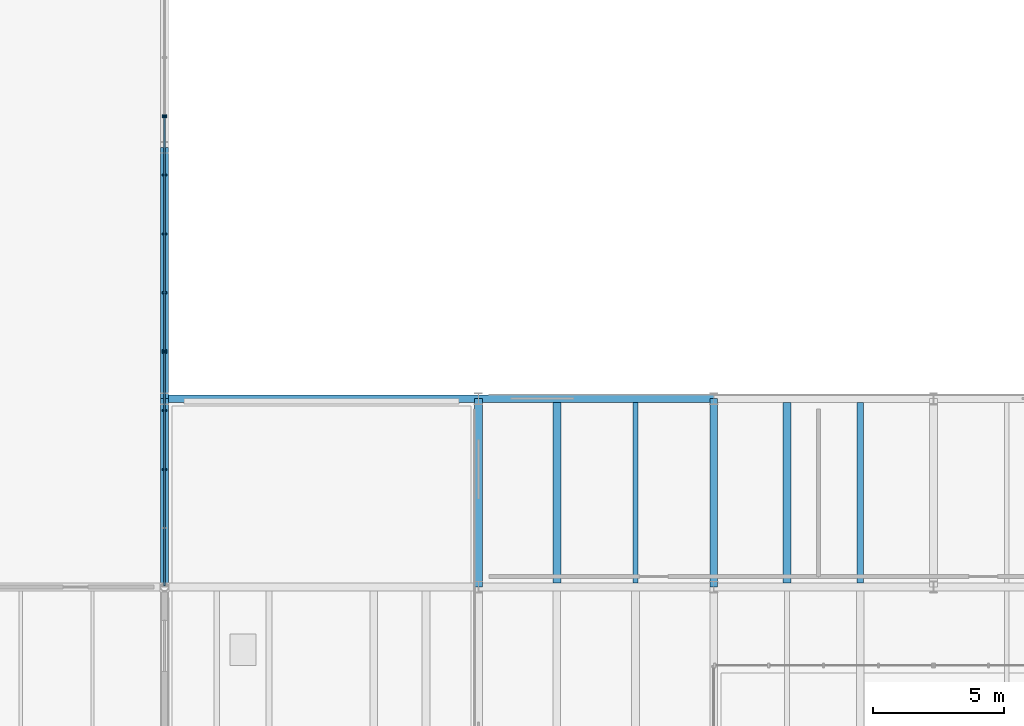
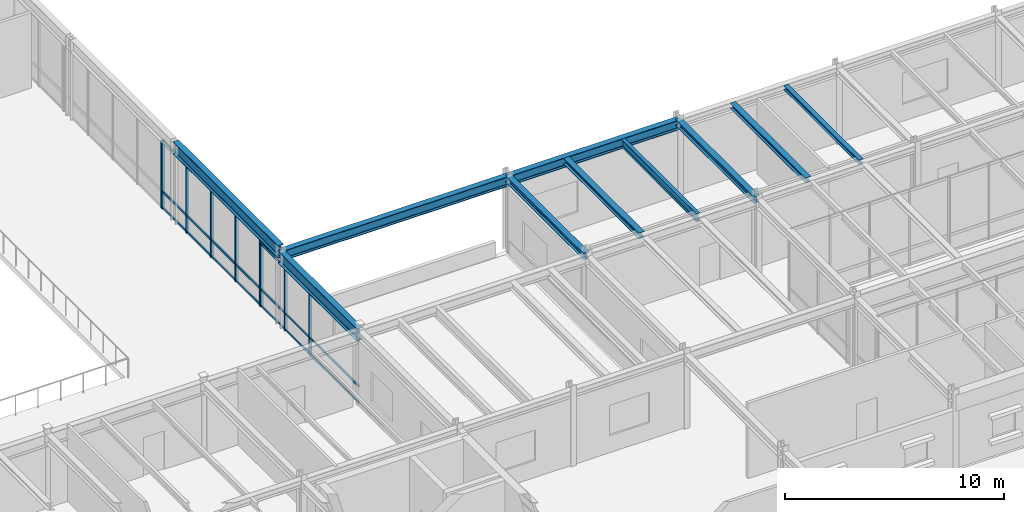
# One storey, part 23 of 64: 15 members, 10 beams, 3 elements without a shape of their own.
"""IFC4 building model written with IfcOpenShell, lengths in metres."""

from ifc_helpers import new_model, si_unit, direction, frame, origin, origin_2d, place, context, subcontext, project, spatial, rectangle, i_section, extrude, material, layer, layer_set, material_profile, profile_set, type_object, element, aggregate, save


model = new_model("IFC4")

# Units and contexts
model_context = context("Model", 3, precision=1e-05, world=origin(), true_north=direction((0.0, 1.0)))
body_context = subcontext(model_context, "Body", "Model", "MODEL_VIEW")
ifc_project = project(units=[si_unit("LENGTHUNIT", "METRE"), si_unit("AREAUNIT", "SQUARE_METRE"), si_unit("VOLUMEUNIT", "CUBIC_METRE"), si_unit("PLANEANGLEUNIT", "RADIAN"), si_unit("MASSUNIT", "GRAM", prefix="KILO")], contexts=[model_context])

# Site, building, storey
site_placement = place(None, origin())
site = spatial("IfcSite", under=ifc_project, at=site_placement, CompositionType="ELEMENT")
building_placement = place(site_placement, origin())
building = spatial("IfcBuilding", under=site, at=building_placement, Name="Montealbar Specialist Clinic", CompositionType="ELEMENT")
storey_placement = place(building_placement, frame((0.0, 0.0, 5.10009765625)))
storey = spatial("IfcBuildingStorey", under=building, at=storey_placement, Name="L01", CompositionType="ELEMENT", Elevation=5.10009765625)

# Beams
ifc_material_1 = material(Name="Steel S355", Category="steel")
ifc_material_profile_1 = material_profile(ifc_material_1, i_section(OverallWidth=0.300048828125, OverallDepth=0.360107421875, WebThickness=0.012451171875, FlangeThickness=0.0224609375, FilletRadius=0.027099609375, at=origin_2d()), Name="HEB 360", Category="steel")
ifc_profile_set_1 = profile_set([ifc_material_profile_1], Name="Steel S355")
beam_type_1 = type_object("IfcBeamType", Name="BM-GIRD-HEB360-EXT", PredefinedType="BEAM", material=ifc_profile_set_1)
for number, where, z_axis, x_axis, name in (
    (1, (111.0, 45.0, 4.0498046875), (0.0, 1.0, 0.0), (-1.0, 0.0, 0.0), "Beam GY-L01-1110-450-522"),
    (2, (120.0, 45.0, 4.0498046875), (0.0, 1.0, 0.0), (-1.0, 0.0, 0.0), "Beam GY-L01-1200-450-522"),
):
    element("IfcBeam", number, at=place(storey_placement, frame(where, z_axis=z_axis, x_axis=x_axis)), inside=storey, type_object=beam_type_1, Name=name, PredefinedType="BEAM", context=body_context, shape_type="SweptSolid", body=[
        extrude(i_section(OverallWidth=0.300048828125, OverallDepth=0.360107421875, WebThickness=0.012451171875, FlangeThickness=0.0224609375, FilletRadius=0.027099609375, at=origin_2d()), origin(), (0.0, 0.0, 1.0), 7.199951171875),
    ])
ifc_material_profile_2 = material_profile(ifc_material_1, i_section(OverallWidth=0.300048828125, OverallDepth=0.550048828125, WebThickness=0.014892578125, FlangeThickness=0.029052734375, FilletRadius=0.027099609375, at=origin_2d()), Name="HEB 550", Category="steel")
ifc_profile_set_2 = profile_set([ifc_material_profile_2], Name="Steel S355")
beam_type_2 = type_object("IfcBeamType", Name="BM-GIRD-HEB550-EXT", PredefinedType="BEAM", material=ifc_profile_set_2)
beam_1_placement = place(storey_placement, frame((99.0, 52.199951171875, 3.954833984375), z_axis=(1.0, 0.0, 0.0), x_axis=(0.0, 1.0, 0.0)))
element("IfcBeam", 3, at=beam_1_placement, inside=storey, type_object=beam_type_2, Name="Beam GX-L01-990-1110-522", PredefinedType="BEAM", context=body_context, shape_type="SweptSolid", body=[
    extrude(i_section(OverallWidth=0.300048828125, OverallDepth=0.550048828125, WebThickness=0.014892578125, FlangeThickness=0.029052734375, FilletRadius=0.027099609375, at=origin_2d()), origin(), (0.0, 0.0, 1.0), 12.0),
])
beam_2_placement = place(storey_placement, frame((111.0, 52.199951171875, 3.954833984375), z_axis=(1.0, 0.0, 0.0), x_axis=(0.0, 1.0, 0.0)))
element("IfcBeam", 4, at=beam_2_placement, inside=storey, type_object=beam_type_2, Name="Beam GX-L01-1110-1200-522", PredefinedType="BEAM", context=body_context, shape_type="SweptSolid", body=[
    extrude(i_section(OverallWidth=0.300048828125, OverallDepth=0.550048828125, WebThickness=0.014892578125, FlangeThickness=0.029052734375, FilletRadius=0.027099609375, at=origin_2d()), origin(), (0.0, 0.0, 1.0), 9.0),
])
ifc_material_profile_3 = material_profile(ifc_material_1, i_section(OverallWidth=0.300048828125, OverallDepth=0.320068359375, WebThickness=0.011474609375, FlangeThickness=0.0205078125, FilletRadius=0.027099609375, at=origin_2d()), Name="HEB 320", Category="steel")
ifc_profile_set_3 = profile_set([ifc_material_profile_3], Name="Steel S355")
beam_type_3 = type_object("IfcBeamType", Name="BM-JST-HEB320", PredefinedType="JOIST", material=ifc_profile_set_3)
beam_3_placement = place(storey_placement, frame((114.0, 45.14990234375, 4.06982421875), z_axis=(0.0, 1.0, 0.0), x_axis=(-1.0, 0.0, 0.0)))
element("IfcBeam", 5, at=beam_3_placement, inside=storey, type_object=beam_type_3, Name="Beam JST-L01-1140-452-520", PredefinedType="JOIST", context=body_context, shape_type="SweptSolid", body=[
    extrude(i_section(OverallWidth=0.300048828125, OverallDepth=0.320068359375, WebThickness=0.011474609375, FlangeThickness=0.0205078125, FilletRadius=0.027099609375, at=origin_2d()), origin(), (0.0, 0.0, 1.0), 6.900146484375),
])
ifc_material_profile_4 = material_profile(ifc_material_1, i_section(OverallWidth=0.300048828125, OverallDepth=0.699951171875, WebThickness=0.01708984375, FlangeThickness=0.031982421875, FilletRadius=0.027099609375, at=origin_2d()), Name="HEB 700", Category="steel")
ifc_profile_set_4 = profile_set([ifc_material_profile_4], Name="Steel S355")
beam_type_4 = type_object("IfcBeamType", Name="BM-RING-HEB700-EXT", PredefinedType="BEAM", material=ifc_profile_set_4)
beam_4_placement = place(storey_placement, frame((99.0, 45.0, 3.8798828125), z_axis=(0.0, 1.0, 0.0), x_axis=(-1.0, 0.0, 0.0)))
element("IfcBeam", 6, at=beam_4_placement, inside=storey, type_object=beam_type_4, Name="Gridshell perimeter ring beam RB-01 Y 45.0-52.2", PredefinedType="BEAM", context=body_context, shape_type="SweptSolid", body=[
    extrude(i_section(OverallWidth=0.300048828125, OverallDepth=0.699951171875, WebThickness=0.01708984375, FlangeThickness=0.031982421875, FilletRadius=0.027099609375, at=origin_2d()), origin(), (0.0, 0.0, 1.0), 7.199951171875),
])
beam_5_placement = place(storey_placement, frame((99.0, 52.199951171875, 4.14990234375), z_axis=(0.0, 1.0, 0.0), x_axis=(-1.0, 0.0, 0.0)))
element("IfcBeam", 7, at=beam_5_placement, inside=storey, type_object=beam_type_4, Name="Gridshell perimeter ring beam RB-01 Y 52.2-61.8", PredefinedType="BEAM", context=body_context, shape_type="SweptSolid", body=[
    extrude(i_section(OverallWidth=0.300048828125, OverallDepth=0.699951171875, WebThickness=0.01708984375, FlangeThickness=0.031982421875, FilletRadius=0.027099609375, at=origin_2d()), origin(), (0.0, 0.0, 1.0), 9.60009765625),
])
ifc_material_profile_5 = material_profile(ifc_material_1, i_section(OverallWidth=0.18994140625, OverallDepth=0.449951171875, WebThickness=0.009521484375, FlangeThickness=0.0146484375, FilletRadius=0.02099609375, at=origin_2d()), Name="IPE 450", Category="steel")
ifc_profile_set_5 = profile_set([ifc_material_profile_5], Name="Steel S355")
beam_type_5 = type_object("IfcBeamType", Name="BM-SEC-IPE450", PredefinedType="BEAM", material=ifc_profile_set_5)
beam_6_placement = place(storey_placement, frame((117.0, 45.14990234375, 4.0048828125), z_axis=(0.0, 1.0, 0.0), x_axis=(-1.0, 0.0, 0.0)))
element("IfcBeam", 8, at=beam_6_placement, inside=storey, type_object=beam_type_5, Name="Beam JST-L01-1170-452-520", PredefinedType="BEAM", context=body_context, shape_type="SweptSolid", body=[
    extrude(i_section(OverallWidth=0.18994140625, OverallDepth=0.449951171875, WebThickness=0.009521484375, FlangeThickness=0.0146484375, FilletRadius=0.02099609375, at=origin_2d()), origin(), (0.0, 0.0, 1.0), 6.900146484375),
])
ifc_material_profile_6 = material_profile(ifc_material_1, i_section(OverallWidth=0.239990234375, OverallDepth=0.22998046875, WebThickness=0.007568359375, FlangeThickness=0.011962890625, FilletRadius=0.02099609375, at=origin_2d()), Name="HEA 240", Category="steel")
ifc_profile_set_6 = profile_set([ifc_material_profile_6], Name="Steel S355")
beam_type_6 = type_object("IfcBeamType", Name="BM-SPAND-HEA240", PredefinedType="SPANDREL", material=ifc_profile_set_6)
beam_7_placement = place(storey_placement, frame((125.60009765625, 45.14990234375, 4.114990234375), z_axis=(0.0, 1.0, 0.0), x_axis=(-1.0, 0.0, 0.0)))
element("IfcBeam", 9, at=beam_7_placement, inside=storey, type_object=beam_type_6, Name="Beam JST-L01-1256-452-520", PredefinedType="SPANDREL", context=body_context, shape_type="SweptSolid", body=[
    extrude(i_section(OverallWidth=0.239990234375, OverallDepth=0.22998046875, WebThickness=0.007568359375, FlangeThickness=0.011962890625, FilletRadius=0.02099609375, at=origin_2d()), origin(), (0.0, 0.0, 1.0), 6.900146484375),
])
ifc_material_profile_7 = material_profile(ifc_material_1, i_section(OverallWidth=0.300048828125, OverallDepth=0.2900390625, WebThickness=0.008544921875, FlangeThickness=0.013916015625, FilletRadius=0.027099609375, at=origin_2d()), Name="HEA 300", Category="steel")
ifc_profile_set_7 = profile_set([ifc_material_profile_7], Name="Steel S355")
beam_type_7 = type_object("IfcBeamType", Name="BM-SPAND-HEA300", PredefinedType="SPANDREL", material=ifc_profile_set_7)
beam_8_placement = place(storey_placement, frame((122.800048828125, 45.14990234375, 4.0849609375), z_axis=(0.0, 1.0, 0.0), x_axis=(-1.0, 0.0, 0.0)))
element("IfcBeam", 10, at=beam_8_placement, inside=storey, type_object=beam_type_7, Name="Beam JST-L01-1228-452-520", PredefinedType="SPANDREL", context=body_context, shape_type="SweptSolid", body=[
    extrude(i_section(OverallWidth=0.300048828125, OverallDepth=0.2900390625, WebThickness=0.008544921875, FlangeThickness=0.013916015625, FilletRadius=0.027099609375, at=origin_2d()), origin(), (0.0, 0.0, 1.0), 6.900146484375),
])

# Curtain wall, member
ifc_material_2 = material(Name="Low-E double glazing", Category="glass")
ifc_layer_1 = layer(ifc_material_2, 0.199951171875, Name="Low-E double glazing", Category="glass")
ifc_layer_set_1 = layer_set([ifc_layer_1], Name="Low-E double glazing")
curtain_wall_type_1 = type_object("IfcCurtainWallType", Name="CW-TYPE-08", PredefinedType="NOTDEFINED", material=ifc_layer_set_1)
curtain_wall_1_placement = place(storey_placement, origin())
curtain_wall_1 = element("IfcCurtainWall", 11, at=curtain_wall_1_placement, inside=storey, type_object=curtain_wall_type_1, Name="Unitised Curtain Wall CW-L01-990-720-990-630-51", PredefinedType="NOTDEFINED")
ifc_material_3 = material(Name="Anodised aluminium EN AW-6063", Category="aluminium")
ifc_material_profile_8 = material_profile(ifc_material_3, rectangle(XDim=0.06005859375, YDim=0.159912109375, at=origin_2d()), Name="ALU 60x160", Category="aluminium")
ifc_profile_set_8 = profile_set([ifc_material_profile_8], Name="Anodised aluminium EN AW-6063")
member_type_1 = type_object("IfcMemberType", Name="CW-MUL-160", PredefinedType="MULLION", material=ifc_profile_set_8)
member_1_placement = place(storey_placement, frame((99.0, 63.034912109375, 0.0), z_axis=(0.0, 0.0, 1.0), x_axis=(0.0, -1.0, 0.0)))
member_1 = element("IfcMember", 12, at=member_1_placement, type_object=member_type_1, Name="Curtain Wall Mullion CW-L01-990-720-990-630-51-04", PredefinedType="MULLION", context=body_context, shape_type="SweptSolid", body=[
    extrude(rectangle(XDim=0.06005859375, YDim=0.159912109375, at=origin_2d()), origin(), (0.0, 0.0, 1.0), 3.7998046875),
])
aggregate(curtain_wall_1, [member_1])

# Curtain wall, members
curtain_wall_2_placement = place(storey_placement, origin())
curtain_wall_2 = element("IfcCurtainWall", 13, at=curtain_wall_2_placement, inside=storey, type_object=curtain_wall_type_1, Name="Unitised Curtain Wall CW-L01-990-630-990-540-51", PredefinedType="NOTDEFINED")
member_2_placement = place(storey_placement, frame((99.0, 62.965087890625, 0.0), z_axis=(0.0, 0.0, 1.0), x_axis=(0.0, -1.0, 0.0)))
member_2 = element("IfcMember", 14, at=member_2_placement, type_object=member_type_1, Name="Curtain Wall Mullion CW-L01-990-630-990-540-51-00", PredefinedType="MULLION", context=body_context, shape_type="SweptSolid", body=[
    extrude(rectangle(XDim=0.06005859375, YDim=0.159912109375, at=origin_2d()), origin(), (0.0, 0.0, 1.0), 3.7998046875),
])
member_3_placement = place(storey_placement, frame((99.0, 60.75, 0.0), z_axis=(0.0, 0.0, 1.0), x_axis=(0.0, -1.0, 0.0)))
member_3 = element("IfcMember", 15, at=member_3_placement, type_object=member_type_1, Name="Curtain Wall Mullion CW-L01-990-630-990-540-51-01", PredefinedType="MULLION", context=body_context, shape_type="SweptSolid", body=[
    extrude(rectangle(XDim=0.06005859375, YDim=0.159912109375, at=origin_2d()), origin(), (0.0, 0.0, 1.0), 3.7998046875),
])
member_4_placement = place(storey_placement, frame((99.0, 58.5, 0.0), z_axis=(0.0, 0.0, 1.0), x_axis=(0.0, -1.0, 0.0)))
member_4 = element("IfcMember", 16, at=member_4_placement, type_object=member_type_1, Name="Curtain Wall Mullion CW-L01-990-630-990-540-51-02", PredefinedType="MULLION", context=body_context, shape_type="SweptSolid", body=[
    extrude(rectangle(XDim=0.06005859375, YDim=0.159912109375, at=origin_2d()), origin(), (0.0, 0.0, 1.0), 3.7998046875),
])
member_5_placement = place(storey_placement, frame((99.0, 56.25, 0.0), z_axis=(0.0, 0.0, 1.0), x_axis=(0.0, -1.0, 0.0)))
member_5 = element("IfcMember", 17, at=member_5_placement, type_object=member_type_1, Name="Curtain Wall Mullion CW-L01-990-630-990-540-51-03", PredefinedType="MULLION", context=body_context, shape_type="SweptSolid", body=[
    extrude(rectangle(XDim=0.06005859375, YDim=0.159912109375, at=origin_2d()), origin(), (0.0, 0.0, 1.0), 3.7998046875),
])
member_6_placement = place(storey_placement, frame((99.0, 54.034912109375, 0.0), z_axis=(0.0, 0.0, 1.0), x_axis=(0.0, -1.0, 0.0)))
member_6 = element("IfcMember", 18, at=member_6_placement, type_object=member_type_1, Name="Curtain Wall Mullion CW-L01-990-630-990-540-51-04", PredefinedType="MULLION", context=body_context, shape_type="SweptSolid", body=[
    extrude(rectangle(XDim=0.06005859375, YDim=0.159912109375, at=origin_2d()), origin(), (0.0, 0.0, 1.0), 3.7998046875),
])

ifc_layer_2 = layer(ifc_material_2, 0.199951171875, Name="Low-E double glazing", Category="glass")
ifc_layer_set_2 = layer_set([ifc_layer_2], Name="Low-E double glazing")
curtain_wall_type_2 = type_object("IfcCurtainWallType", Name="CW-TYPE-07", PredefinedType="NOTDEFINED", material=ifc_layer_set_2)
curtain_wall_3_placement = place(storey_placement, origin())
curtain_wall_3 = element("IfcCurtainWall", 19, at=curtain_wall_3_placement, inside=storey, type_object=curtain_wall_type_2, Name="Unitised Curtain Wall CW-L01-990-540-990-450-51", PredefinedType="NOTDEFINED")
member_7_placement = place(storey_placement, frame((99.0, 53.965087890625, 0.0), z_axis=(0.0, 0.0, 1.0), x_axis=(0.0, -1.0, 0.0)))
member_7 = element("IfcMember", 20, at=member_7_placement, type_object=member_type_1, Name="Curtain Wall Mullion CW-L01-990-540-990-450-51-00", PredefinedType="MULLION", context=body_context, shape_type="SweptSolid", body=[
    extrude(rectangle(XDim=0.06005859375, YDim=0.159912109375, at=origin_2d()), origin(), (0.0, 0.0, 1.0), 3.52978515625),
])
member_8_placement = place(storey_placement, frame((99.0, 51.75, 0.0), z_axis=(0.0, 0.0, 1.0), x_axis=(0.0, -1.0, 0.0)))
member_8 = element("IfcMember", 21, at=member_8_placement, type_object=member_type_1, Name="Curtain Wall Mullion CW-L01-990-540-990-450-51-01", PredefinedType="MULLION", context=body_context, shape_type="SweptSolid", body=[
    extrude(rectangle(XDim=0.06005859375, YDim=0.159912109375, at=origin_2d()), origin(), (0.0, 0.0, 1.0), 3.52978515625),
])
member_9_placement = place(storey_placement, frame((99.0, 49.5, 0.0), z_axis=(0.0, 0.0, 1.0), x_axis=(0.0, -1.0, 0.0)))
member_9 = element("IfcMember", 22, at=member_9_placement, type_object=member_type_1, Name="Curtain Wall Mullion CW-L01-990-540-990-450-51-02", PredefinedType="MULLION", context=body_context, shape_type="SweptSolid", body=[
    extrude(rectangle(XDim=0.06005859375, YDim=0.159912109375, at=origin_2d()), origin(), (0.0, 0.0, 1.0), 3.52978515625),
])
ifc_material_4 = material(Name="Powder-coated aluminium", Category="aluminium")
ifc_material_profile_9 = material_profile(ifc_material_4, rectangle(XDim=0.06005859375, YDim=0.1201171875, at=origin_2d()), Name="ALU 60x120", Category="aluminium")
ifc_profile_set_9 = profile_set([ifc_material_profile_9], Name="Powder-coated aluminium")
member_type_2 = type_object("IfcMemberType", Name="CW-TRN-120", PredefinedType="USERDEFINED", material=ifc_profile_set_9)
member_10_placement = place(storey_placement, frame((99.0, 53.949951171875, 0.039794921875), z_axis=(0.0, -1.0, 0.0), x_axis=(1.0, 0.0, 0.0)))
member_10 = element("IfcMember", 23, at=member_10_placement, type_object=member_type_2, Name="Curtain Wall Transom CW-L01-990-540-990-450-51-00", ObjectType="TRANSOM", PredefinedType="USERDEFINED", context=body_context, shape_type="SweptSolid", body=[
    extrude(rectangle(XDim=0.06005859375, YDim=0.1201171875, at=origin_2d()), origin(), (0.0, 0.0, 1.0), 8.89990234375),
])
member_11_placement = place(storey_placement, frame((99.0, 53.949951171875, 0.949951171875), z_axis=(0.0, -1.0, 0.0), x_axis=(1.0, 0.0, 0.0)))
member_11 = element("IfcMember", 24, at=member_11_placement, type_object=member_type_2, Name="Curtain Wall Transom CW-L01-990-540-990-450-51-01", ObjectType="TRANSOM", PredefinedType="USERDEFINED", context=body_context, shape_type="SweptSolid", body=[
    extrude(rectangle(XDim=0.06005859375, YDim=0.1201171875, at=origin_2d()), origin(), (0.0, 0.0, 1.0), 8.89990234375),
])
member_12_placement = place(storey_placement, frame((99.0, 53.949951171875, 3.489990234375), z_axis=(0.0, -1.0, 0.0), x_axis=(1.0, 0.0, 0.0)))
member_12 = element("IfcMember", 25, at=member_12_placement, type_object=member_type_2, Name="Curtain Wall Transom CW-L01-990-540-990-450-51-02", ObjectType="TRANSOM", PredefinedType="USERDEFINED", context=body_context, shape_type="SweptSolid", body=[
    extrude(rectangle(XDim=0.06005859375, YDim=0.1201171875, at=origin_2d()), origin(), (0.0, 0.0, 1.0), 8.89990234375),
])
aggregate(curtain_wall_3, [member_7, member_8, member_9, member_10, member_11, member_12])

# Member
ifc_material_profile_10 = material_profile(ifc_material_4, rectangle(XDim=0.070068359375, YDim=0.139892578125, at=origin_2d()), Name="ALU 70x140", Category="aluminium")
ifc_profile_set_10 = profile_set([ifc_material_profile_10], Name="Powder-coated aluminium")
member_type_3 = type_object("IfcMemberType", Name="CW-TRN-140", PredefinedType="USERDEFINED", material=ifc_profile_set_10)
member_13_placement = place(storey_placement, frame((99.0, 62.949951171875, 0.039794921875), z_axis=(0.0, -1.0, 0.0), x_axis=(1.0, 0.0, 0.0)))
member_13 = element("IfcMember", 26, at=member_13_placement, type_object=member_type_3, Name="Curtain Wall Transom CW-L01-990-630-990-540-51-00", ObjectType="TRANSOM", PredefinedType="USERDEFINED", context=body_context, shape_type="SweptSolid", body=[
    extrude(rectangle(XDim=0.070068359375, YDim=0.139892578125, at=origin_2d()), origin(), (0.0, 0.0, 1.0), 8.89990234375),
])

member_14_placement = place(storey_placement, frame((99.0, 62.949951171875, 0.949951171875), z_axis=(0.0, -1.0, 0.0), x_axis=(1.0, 0.0, 0.0)))
member_14 = element("IfcMember", 27, at=member_14_placement, type_object=member_type_3, Name="Curtain Wall Transom CW-L01-990-630-990-540-51-01", ObjectType="TRANSOM", PredefinedType="USERDEFINED", context=body_context, shape_type="SweptSolid", body=[
    extrude(rectangle(XDim=0.070068359375, YDim=0.139892578125, at=origin_2d()), origin(), (0.0, 0.0, 1.0), 8.89990234375),
])

member_15_placement = place(storey_placement, frame((99.0, 62.949951171875, 3.760009765625), z_axis=(0.0, -1.0, 0.0), x_axis=(1.0, 0.0, 0.0)))
member_15 = element("IfcMember", 28, at=member_15_placement, type_object=member_type_3, Name="Curtain Wall Transom CW-L01-990-630-990-540-51-02", ObjectType="TRANSOM", PredefinedType="USERDEFINED", context=body_context, shape_type="SweptSolid", body=[
    extrude(rectangle(XDim=0.070068359375, YDim=0.139892578125, at=origin_2d()), origin(), (0.0, 0.0, 1.0), 8.89990234375),
])

aggregate(curtain_wall_2, [member_2, member_3, member_4, member_5, member_6, member_13, member_14, member_15])

save(model, "model.ifc")
